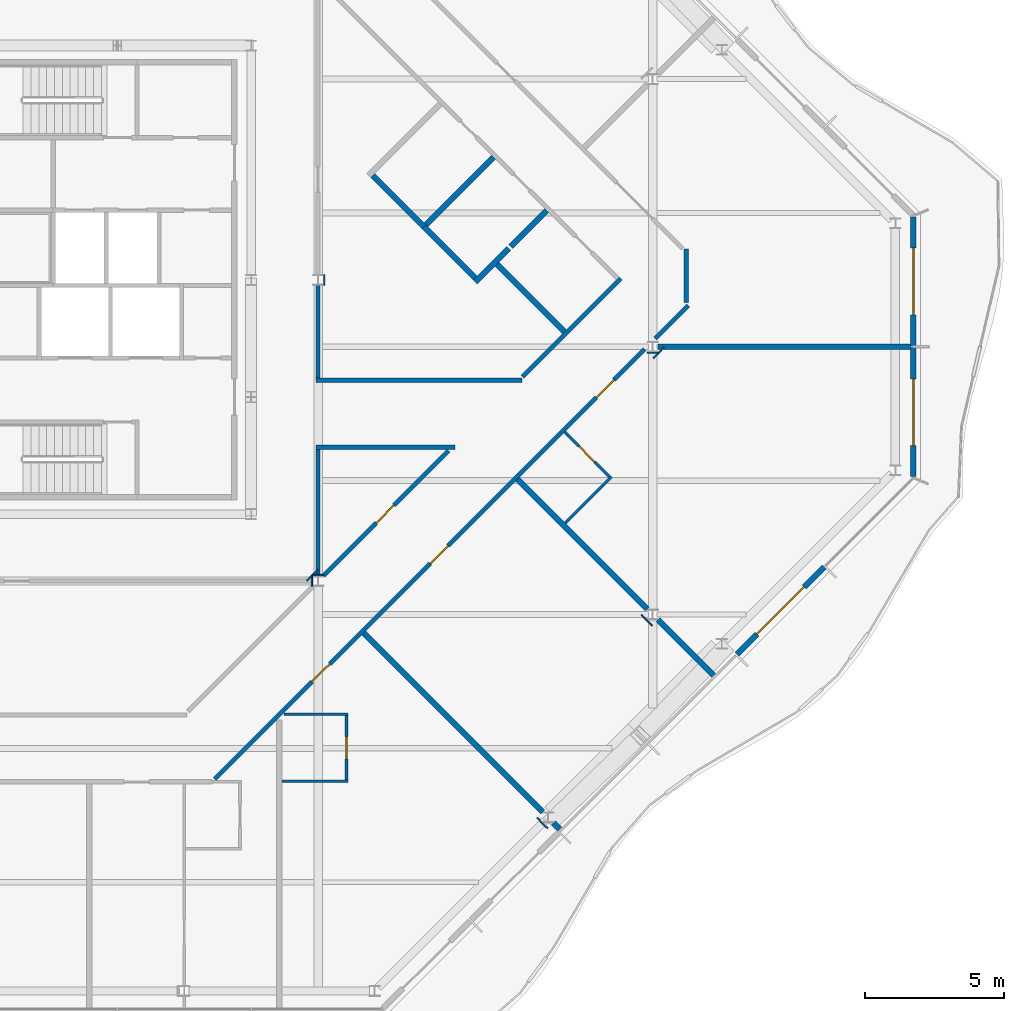
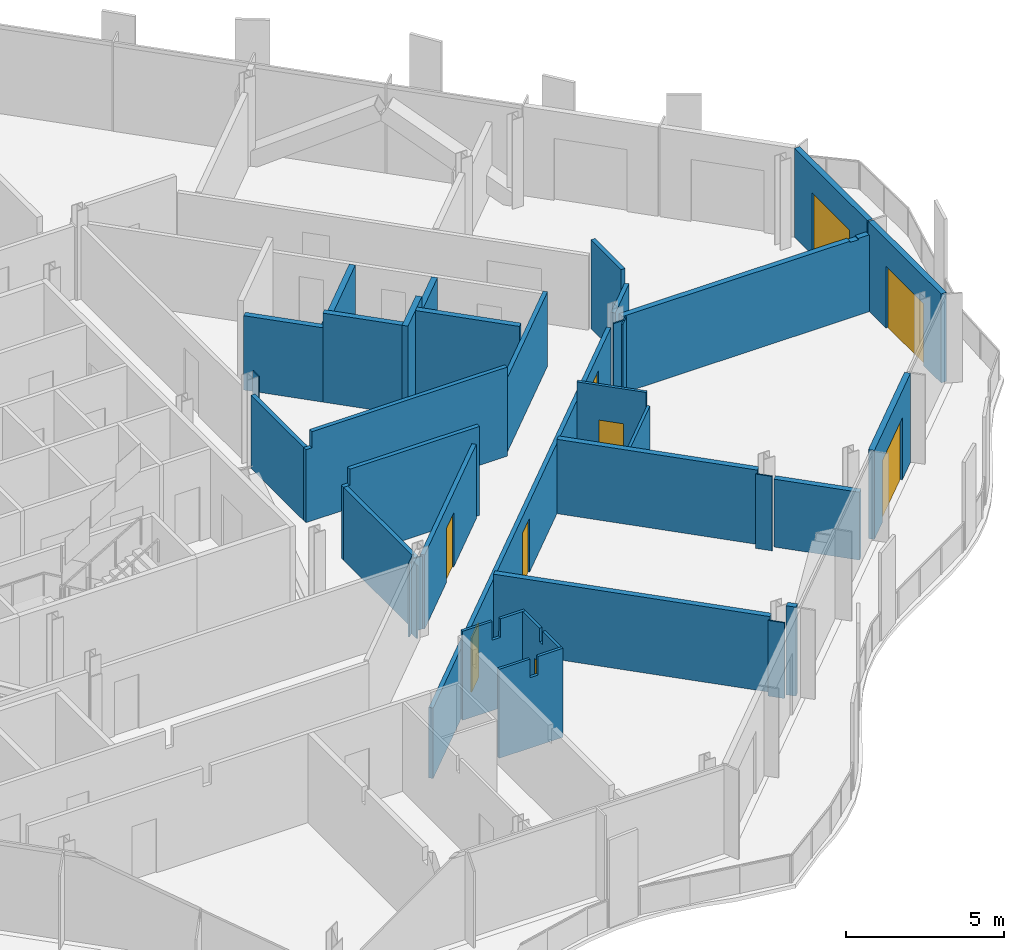
# One storey, part 9 of 16: 36 walls, 9 doors, 9 openings.
"""IFC4 building model written with IfcOpenShell, lengths in metres."""

from ifc_helpers import new_model, si_unit, direction, frame, frame_2d, origin, place, context, subcontext, project, spatial, polyline, rectangle, outline, extrude, material, layer, layer_set, type_object, element, fill, save


model = new_model("IFC4")

# Units and contexts
model_context = context("Model", 3, precision=1e-05, world=origin(), true_north=direction((0.0, 1.0)))
body_context = subcontext(model_context, "Body", "Model", "MODEL_VIEW")
ifc_project = project(units=[si_unit("LENGTHUNIT", "METRE"), si_unit("AREAUNIT", "SQUARE_METRE"), si_unit("VOLUMEUNIT", "CUBIC_METRE"), si_unit("PLANEANGLEUNIT", "RADIAN"), si_unit("MASSUNIT", "GRAM", prefix="KILO")], contexts=[model_context])

# Site, building, storey
site_placement = place(None, origin())
site = spatial("IfcSite", under=ifc_project, at=site_placement, CompositionType="ELEMENT")
building_placement = place(site_placement, origin())
building = spatial("IfcBuilding", under=site, at=building_placement, Name="Cairn Pilgrim Tower", CompositionType="ELEMENT")
storey_placement = place(building_placement, frame((0.0, 0.0, 285.0)))
storey = spatial("IfcBuildingStorey", under=building, at=storey_placement, Name="L73", CompositionType="ELEMENT", Elevation=285.0)

# Wall, opening, door
ifc_material_1 = material(Name="Bronze anodised aluminium insulated sandwich panel with mineral wool fill", Category="aluminium")
ifc_layer_1 = layer(ifc_material_1, 0.199951171875)
ifc_layer_set_1 = layer_set([ifc_layer_1], Name="BRONZE INFILL FRAME WALL 200")
wall_type_1 = type_object("IfcWallType", Name="BRONZE INFILL FRAME WALL 200", PredefinedType="NOTDEFINED", material=ifc_layer_set_1)
wall_1_placement = place(storey_placement, frame((34.219970703125, -11.0263671875, 0.0), z_axis=(0.0, 0.0, 1.0), x_axis=(0.707134329907, 0.707079231393, 0.0)))
wall_1 = element("IfcWall", 1, at=wall_1_placement, inside=storey, type_object=wall_type_1, Name="Bronze infill frame wall IW-SE5", PredefinedType="NOTDEFINED", context=body_context, shape_type="SweptSolid", body=[
    extrude(rectangle(XDim=4.430908203125, YDim=0.199951171875, at=frame_2d((2.21533203125, 0.0))), origin(), (0.0, 0.0, 1.0), 3.449951171875),
])
opening_1_placement = place(wall_1_placement, frame((1.01513671875, 0.0, 0.0)))
opening_1 = element("IfcOpeningElement", 2, at=opening_1_placement, cuts=wall_1, Name="Opening 7304B", PredefinedType="OPENING", context=body_context, shape_type="SweptSolid", body=[
    extrude(rectangle(XDim=2.39990234375, YDim=2.39990234375, at=frame_2d((1.199951171875, 1.199951171875))), frame((0.0, 0.10986328125, 0.0), z_axis=(0.0, -1.0, 0.0), x_axis=(1.0, 0.0, 0.0)), (0.0, 0.0, 1.0), 0.219970703125),
])
ifc_material_2 = material(Name="Bronze anodised aluminium frame with tinted low-E glass", Category="aluminium")
door_type_1 = type_object("IfcDoorType", Name="BALCONY SLIDING DOOR 2400x2400", OperationType="DOUBLE_DOOR_SLIDING", PredefinedType="DOOR", material=ifc_material_2)
door_1_placement = place(opening_1_placement, origin())
door_1 = element("IfcDoor", 3, at=door_1_placement, inside=storey, type_object=door_type_1, Name="Balcony sliding door 7304B", OperationType="SINGLE_SWING_LEFT", OverallHeight=2.39990234375, OverallWidth=2.39990234375, PredefinedType="DOOR", context=body_context, shape_type="SweptSolid", body=[
    extrude(rectangle(XDim=2.39990234375, YDim=2.39990234375, at=frame_2d((1.199951171875, 1.199951171875))), frame((0.0, 0.02490234375, 0.0), z_axis=(0.0, -1.0, 0.0), x_axis=(1.0, 0.0, 0.0)), (0.0, 0.0, 1.0), 0.050048828125),
])
fill(opening_1, door_1)

wall_2_placement = place(storey_placement, frame((40.550048828125, -4.656494140625, 0.0), z_axis=(0.0, 0.0, 1.0), x_axis=(0.0, 1.0, 0.0)))
wall_2 = element("IfcWall", 4, at=wall_2_placement, inside=storey, type_object=wall_type_1, Name="Bronze infill frame wall IW-E1", PredefinedType="NOTDEFINED", context=body_context, shape_type="SweptSolid", body=[
    extrude(rectangle(XDim=4.62646484375, YDim=0.199951171875, at=frame_2d((2.313232421875, 0.0))), origin(), (0.0, 0.0, 1.0), 3.449951171875),
])
opening_2_placement = place(wall_2_placement, frame((1.1083984375, 0.0, 0.0)))
opening_2 = element("IfcOpeningElement", 5, at=opening_2_placement, cuts=wall_2, Name="Opening 7304B2", PredefinedType="OPENING", context=body_context, shape_type="SweptSolid", body=[
    extrude(rectangle(XDim=2.39990234375, YDim=2.39990234375, at=frame_2d((1.199951171875, 1.199951171875))), frame((0.0, 0.10986328125, 0.0), z_axis=(0.0, -1.0, 0.0), x_axis=(1.0, 0.0, 0.0)), (0.0, 0.0, 1.0), 0.219970703125),
])
door_2_placement = place(opening_2_placement, origin())
door_2 = element("IfcDoor", 6, at=door_2_placement, inside=storey, type_object=door_type_1, Name="Balcony sliding door 7304B2", OperationType="SINGLE_SWING_LEFT", OverallHeight=2.39990234375, OverallWidth=2.39990234375, PredefinedType="DOOR", context=body_context, shape_type="SweptSolid", body=[
    extrude(rectangle(XDim=2.39990234375, YDim=2.39990234375, at=frame_2d((1.199951171875, 1.199951171875))), frame((0.0, 0.02490234375, 0.0), z_axis=(0.0, -1.0, 0.0), x_axis=(1.0, 0.0, 0.0)), (0.0, 0.0, 1.0), 0.050048828125),
])
fill(opening_2, door_2)

wall_3_placement = place(storey_placement, frame((40.550048828125, 0.030029296875, 0.0), z_axis=(0.0, 0.0, 1.0), x_axis=(0.0, 1.0, 0.0)))
wall_3 = element("IfcWall", 7, at=wall_3_placement, inside=storey, type_object=wall_type_1, Name="Bronze infill frame wall IW-E2", PredefinedType="NOTDEFINED", context=body_context, shape_type="SweptSolid", body=[
    extrude(rectangle(XDim=4.62646484375, YDim=0.199951171875, at=frame_2d((2.313232421875, 0.0))), origin(), (0.0, 0.0, 1.0), 3.449951171875),
])
opening_3_placement = place(wall_3_placement, frame((1.117919921875, 0.0, 0.0)))
opening_3 = element("IfcOpeningElement", 8, at=opening_3_placement, cuts=wall_3, Name="Opening 7301B2", PredefinedType="OPENING", context=body_context, shape_type="SweptSolid", body=[
    extrude(rectangle(XDim=2.39990234375, YDim=2.39990234375, at=frame_2d((1.199951171875, 1.199951171875))), frame((0.0, 0.10986328125, 0.0), z_axis=(0.0, -1.0, 0.0), x_axis=(1.0, 0.0, 0.0)), (0.0, 0.0, 1.0), 0.219970703125),
])
door_3_placement = place(opening_3_placement, origin())
door_3 = element("IfcDoor", 9, at=door_3_placement, inside=storey, type_object=door_type_1, Name="Balcony sliding door 7301B2", OperationType="SINGLE_SWING_LEFT", OverallHeight=2.39990234375, OverallWidth=2.39990234375, PredefinedType="DOOR", context=body_context, shape_type="SweptSolid", body=[
    extrude(rectangle(XDim=2.39990234375, YDim=2.39990234375, at=frame_2d((1.199951171875, 1.199951171875))), frame((0.0, 0.02490234375, 0.0), z_axis=(0.0, -1.0, 0.0), x_axis=(1.0, 0.0, 0.0)), (0.0, 0.0, 1.0), 0.050048828125),
])
fill(opening_3, door_3)

# Wall
ifc_material_3 = material(Name="Gypsum partition")
ifc_layer_2 = layer(ifc_material_3, 0.10009765625)
ifc_layer_set_2 = layer_set([ifc_layer_2], Name="PARTITION 100 DRYWALL")
wall_type_2 = type_object("IfcWallType", Name="PARTITION 100 DRYWALL", PredefinedType="PARTITIONING", material=ifc_layer_set_2)
wall_4_placement = place(storey_placement, frame((17.9140625, -15.580078125, 0.0), z_axis=(0.0, 0.0, 1.0), x_axis=(1.0, 0.0, 0.0)))
element("IfcWall", 10, at=wall_4_placement, inside=storey, type_object=wall_type_2, Name="PARTITION W011", PredefinedType="PARTITIONING", context=body_context, shape_type="SweptSolid", body=[
    extrude(outline(polyline([(0.0, 0.0), (2.349853515625, 0.0), (2.35009765625, 3.449951171875), (1.43603515625, 3.449951171875), (1.43408203125, 2.72998046875), (1.135986328125, 2.72998046875), (1.134033203125, 3.449951171875), (0.0, 3.449951171875), (0.0, 0.0)])), frame((0.0, 0.050048828125, 0.0), z_axis=(0.0, -1.0, 0.0), x_axis=(1.0, 0.0, 0.0)), (0.0, 0.0, 1.0), 0.10009765625),
])

# Wall, opening, door
wall_5_placement = place(storey_placement, frame((20.214111328125, -15.530029296875, 0.0), z_axis=(0.0, 0.0, 1.0), x_axis=(0.0, 1.0, 0.0)))
wall_5 = element("IfcWall", 11, at=wall_5_placement, inside=storey, type_object=wall_type_2, Name="PARTITION W013", PredefinedType="PARTITIONING", context=body_context, shape_type="SweptSolid", body=[
    extrude(outline(polyline([(0.0, 0.0), (2.300048828125, 0.0), (2.300048828125, 3.449951171875), (1.22998046875, 3.449951171875), (1.22802734375, 2.929931640625), (1.030029296875, 2.929931640625), (1.028076171875, 3.449951171875), (0.0, 3.449951171875), (0.0, 0.0)])), frame((0.0, 0.050048828125, 0.0), z_axis=(0.0, -1.0, 0.0), x_axis=(1.0, 0.0, 0.0)), (0.0, 0.0, 1.0), 0.10009765625),
])
opening_4_placement = place(wall_5_placement, frame((0.75, 0.0, 0.0)))
opening_4 = element("IfcOpeningElement", 12, at=opening_4_placement, cuts=wall_5, Name="Opening 7302A", PredefinedType="OPENING", context=body_context, shape_type="SweptSolid", body=[
    extrude(rectangle(XDim=0.800048828125, YDim=2.10009765625, at=frame_2d((0.39990234375, 1.050048828125))), frame((0.0, 0.06005859375, 0.0), z_axis=(0.0, -1.0, 0.0), x_axis=(1.0, 0.0, 0.0)), (0.0, 0.0, 1.0), 0.1201171875),
])
ifc_material_4 = material(Name="Timber door leaf", Category="wood")
door_type_2 = type_object("IfcDoorType", Name="WC DOOR 800x2100", OperationType="NOTDEFINED", PredefinedType="DOOR", material=ifc_material_4)
door_4_placement = place(opening_4_placement, frame((0.800048828125, 0.0, 0.0), z_axis=(0.0, 0.0, 1.0), x_axis=(-1.0, 0.0, 0.0)))
door_4 = element("IfcDoor", 13, at=door_4_placement, inside=storey, type_object=door_type_2, Name="DOOR 7302A", OperationType="SINGLE_SWING_LEFT", OverallHeight=2.10009765625, OverallWidth=0.800048828125, PredefinedType="DOOR", context=body_context, shape_type="SweptSolid", body=[
    extrude(rectangle(XDim=0.800048828125, YDim=2.10009765625, at=frame_2d((0.39990234375, 1.050048828125))), frame((0.0, 0.02490234375, 0.0), z_axis=(0.0, -1.0, 0.0), x_axis=(1.0, 0.0, 0.0)), (0.0, 0.0, 1.0), 0.050048828125),
])
fill(opening_4, door_4)

# Walls
wall_6_placement = place(storey_placement, frame((17.97021484375, -13.179931640625, 0.0), z_axis=(0.0, 0.0, 1.0), x_axis=(1.0, 0.0, 0.0)))
element("IfcWall", 14, at=wall_6_placement, inside=storey, type_object=wall_type_2, Name="PARTITION W016", PredefinedType="PARTITIONING", context=body_context, shape_type="SweptSolid", body=[
    extrude(outline(polyline([(0.0, 0.0), (2.293701171875, 0.0), (2.2939453125, 3.449951171875), (1.3798828125, 3.449951171875), (1.3779296875, 2.72998046875), (1.079833984375, 2.72998046875), (1.077880859375, 3.449951171875), (0.0, 3.449951171875), (0.0, 0.0)])), frame((0.0, 0.050048828125, 0.0), z_axis=(0.0, -1.0, 0.0), x_axis=(1.0, 0.0, 0.0)), (0.0, 0.0, 1.0), 0.10009765625),
])
wall_7_placement = place(storey_placement, frame((28.064697265625, -6.3232421875, 0.0), z_axis=(0.0, 0.0, 1.0), x_axis=(0.707106781187, 0.707106781187, 0.0)))
element("IfcWall", 15, at=wall_7_placement, inside=storey, type_object=wall_type_2, Name="PARTITION W032", PredefinedType="PARTITIONING", context=body_context, shape_type="SweptSolid", body=[
    extrude(rectangle(XDim=2.349853515625, YDim=0.10009765625, at=frame_2d((1.1748046875, 0.0))), origin(), (0.0, 0.0, 1.0), 2.8798828125),
])

# Wall, opening, door
wall_8_placement = place(storey_placement, frame((29.655517578125, -4.66162109375, 0.0), z_axis=(0.0, 0.0, 1.0), x_axis=(-0.707053116953, 0.707160441348, 0.0)))
wall_8 = element("IfcWall", 16, at=wall_8_placement, inside=storey, type_object=wall_type_2, Name="PARTITION W033", PredefinedType="PARTITIONING", context=body_context, shape_type="SweptSolid", body=[
    extrude(rectangle(XDim=2.27490234375, YDim=0.10009765625, at=frame_2d((1.137451171875, 0.0))), origin(), (0.0, 0.0, 1.0), 3.449951171875),
])
opening_5_placement = place(wall_8_placement, frame((0.75, 0.0, 0.0)))
opening_5 = element("IfcOpeningElement", 17, at=opening_5_placement, cuts=wall_8, Name="Opening 7304A", PredefinedType="OPENING", context=body_context, shape_type="SweptSolid", body=[
    extrude(rectangle(XDim=0.800048828125, YDim=2.10009765625, at=frame_2d((0.39990234375, 1.050048828125))), frame((0.0, 0.06005859375, 0.0), z_axis=(0.0, -1.0, 0.0), x_axis=(1.0, 0.0, 0.0)), (0.0, 0.0, 1.0), 0.1201171875),
])
door_5_placement = place(opening_5_placement, frame((0.800048828125, 0.0, 0.0), z_axis=(0.0, 0.0, 1.0), x_axis=(-1.0, 0.0, 0.0)))
door_5 = element("IfcDoor", 18, at=door_5_placement, inside=storey, type_object=door_type_2, Name="DOOR 7304A", OperationType="SINGLE_SWING_LEFT", OverallHeight=2.10009765625, OverallWidth=0.800048828125, PredefinedType="DOOR", context=body_context, shape_type="SweptSolid", body=[
    extrude(rectangle(XDim=0.800048828125, YDim=2.10009765625, at=frame_2d((0.39990234375, 1.050048828125))), frame((0.0, 0.02490234375, 0.0), z_axis=(0.0, -1.0, 0.0), x_axis=(1.0, 0.0, 0.0)), (0.0, 0.0, 1.0), 0.050048828125),
])
fill(opening_5, door_5)

# Wall, openings, doors
ifc_layer_3 = layer(ifc_material_3, 0.14990234375)
ifc_layer_set_3 = layer_set([ifc_layer_3], Name="PARTITION 150 DRYWALL EI 60")
wall_type_3 = type_object("IfcWallType", Name="PARTITION 150 DRYWALL EI 60", PredefinedType="PARTITIONING", material=ifc_layer_set_3)
wall_9_placement = place(storey_placement, frame((15.4970703125, -15.4970703125, 0.0), z_axis=(0.0, 0.0, 1.0), x_axis=(0.707106781187, 0.707106781187, 0.0)))
wall_9 = element("IfcWall", 19, at=wall_9_placement, inside=storey, type_object=wall_type_3, Name="PARTITION W012", PredefinedType="PARTITIONING", context=body_context, shape_type="SweptSolid", body=[
    extrude(rectangle(XDim=21.789794921875, YDim=0.14990234375, at=frame_2d((10.89501953125, 0.0))), origin(), (0.0, 0.0, 1.0), 2.72998046875),
])
opening_6_placement = place(wall_9_placement, frame((4.92724609375, 0.0, 0.0)))
opening_6 = element("IfcOpeningElement", 20, at=opening_6_placement, cuts=wall_9, Name="Opening 7302", PredefinedType="OPENING", context=body_context, shape_type="SweptSolid", body=[
    extrude(rectangle(XDim=0.89990234375, YDim=2.10009765625, at=frame_2d((0.449951171875, 1.050048828125))), frame((0.0, 0.0849609375, 0.0), z_axis=(0.0, -1.0, 0.0), x_axis=(1.0, 0.0, 0.0)), (0.0, 0.0, 1.0), 0.169921875),
])
opening_7_placement = place(wall_9_placement, frame((10.925537109375, 0.0, 0.0)))
opening_7 = element("IfcOpeningElement", 21, at=opening_7_placement, cuts=wall_9, Name="Opening 7303", PredefinedType="OPENING", context=body_context, shape_type="SweptSolid", body=[
    extrude(rectangle(XDim=0.89990234375, YDim=2.10009765625, at=frame_2d((0.449951171875, 1.050048828125))), frame((0.0, 0.0849609375, 0.0), z_axis=(0.0, -1.0, 0.0), x_axis=(1.0, 0.0, 0.0)), (0.0, 0.0, 1.0), 0.169921875),
])
opening_8_placement = place(wall_9_placement, frame((19.344970703125, 0.0, 0.0)))
opening_8 = element("IfcOpeningElement", 22, at=opening_8_placement, cuts=wall_9, Name="Opening 7304", PredefinedType="OPENING", context=body_context, shape_type="SweptSolid", body=[
    extrude(rectangle(XDim=0.89990234375, YDim=2.10009765625, at=frame_2d((0.449951171875, 1.050048828125))), frame((0.0, 0.0849609375, 0.0), z_axis=(0.0, -1.0, 0.0), x_axis=(1.0, 0.0, 0.0)), (0.0, 0.0, 1.0), 0.169921875),
])
door_type_3 = type_object("IfcDoorType", Name="ROOM DOOR 900x2100 FD30S", OperationType="NOTDEFINED", PredefinedType="DOOR", material=ifc_material_4)
door_6_placement = place(opening_6_placement, frame((0.89990234375, 0.0, 0.0), z_axis=(0.0, 0.0, 1.0), x_axis=(-1.0, 0.0, 0.0)))
door_6 = element("IfcDoor", 23, at=door_6_placement, inside=storey, type_object=door_type_3, Name="DOOR 7302", OperationType="SINGLE_SWING_LEFT", OverallHeight=2.10009765625, OverallWidth=0.89990234375, PredefinedType="DOOR", context=body_context, shape_type="SweptSolid", body=[
    extrude(rectangle(XDim=0.89990234375, YDim=2.10009765625, at=frame_2d((0.449951171875, 1.050048828125))), frame((0.0, 0.02490234375, 0.0), z_axis=(0.0, -1.0, 0.0), x_axis=(1.0, 0.0, 0.0)), (0.0, 0.0, 1.0), 0.050048828125),
])
fill(opening_6, door_6)
door_7_placement = place(opening_8_placement, frame((0.89990234375, 0.0, 0.0), z_axis=(0.0, 0.0, 1.0), x_axis=(-1.0, 0.0, 0.0)))
door_7 = element("IfcDoor", 24, at=door_7_placement, inside=storey, type_object=door_type_3, Name="DOOR 7304", OperationType="SINGLE_SWING_LEFT", OverallHeight=2.10009765625, OverallWidth=0.89990234375, PredefinedType="DOOR", context=body_context, shape_type="SweptSolid", body=[
    extrude(rectangle(XDim=0.89990234375, YDim=2.10009765625, at=frame_2d((0.449951171875, 1.050048828125))), frame((0.0, 0.02490234375, 0.0), z_axis=(0.0, -1.0, 0.0), x_axis=(1.0, 0.0, 0.0)), (0.0, 0.0, 1.0), 0.050048828125),
])
fill(opening_8, door_7)
door_type_4 = type_object("IfcDoorType", Name="SERVICE DOOR 900x2100 FD30S", OperationType="NOTDEFINED", PredefinedType="DOOR", material=ifc_material_4)
door_8_placement = place(opening_7_placement, frame((0.89990234375, 0.0, 0.0), z_axis=(0.0, 0.0, 1.0), x_axis=(-1.0, 0.0, 0.0)))
door_8 = element("IfcDoor", 25, at=door_8_placement, inside=storey, type_object=door_type_4, Name="DOOR 7303", OperationType="SINGLE_SWING_LEFT", OverallHeight=2.10009765625, OverallWidth=0.89990234375, PredefinedType="DOOR", context=body_context, shape_type="SweptSolid", body=[
    extrude(rectangle(XDim=0.89990234375, YDim=2.10009765625, at=frame_2d((0.449951171875, 1.050048828125))), frame((0.0, 0.02490234375, 0.0), z_axis=(0.0, -1.0, 0.0), x_axis=(1.0, 0.0, 0.0)), (0.0, 0.0, 1.0), 0.050048828125),
])
fill(opening_7, door_8)

# Wall
wall_10_placement = place(storey_placement, frame((19.199951171875, -8.21240234375, 0.0), z_axis=(0.0, 0.0, 1.0), x_axis=(0.0, 1.0, 0.0)))
element("IfcWall", 26, at=wall_10_placement, inside=storey, type_object=wall_type_3, Name="PARTITION W030", PredefinedType="PARTITIONING", context=body_context, shape_type="SweptSolid", body=[
    extrude(rectangle(XDim=4.537353515625, YDim=0.14990234375, at=frame_2d((2.2685546875, 0.0))), origin(), (0.0, 0.0, 1.0), 2.830078125),
])

# Wall, opening, door
wall_11_placement = place(storey_placement, frame((19.39208984375, -8.207763671875, 0.0), z_axis=(0.0, 0.0, 1.0), x_axis=(0.707126048664, 0.707087513184, 0.0)))
wall_11 = element("IfcWall", 27, at=wall_11_placement, inside=storey, type_object=wall_type_3, Name="PARTITION W031", PredefinedType="PARTITIONING", context=body_context, shape_type="SweptSolid", body=[
    extrude(rectangle(XDim=6.33544921875, YDim=0.14990234375, at=frame_2d((3.167724609375, 0.0))), origin(), (0.0, 0.0, 1.0), 2.8798828125),
])
opening_9_placement = place(wall_11_placement, frame((2.672119140625, 0.0, 0.0)))
opening_9 = element("IfcOpeningElement", 28, at=opening_9_placement, cuts=wall_11, Name="Opening 7315", PredefinedType="OPENING", context=body_context, shape_type="SweptSolid", body=[
    extrude(rectangle(XDim=0.89990234375, YDim=2.10009765625, at=frame_2d((0.449951171875, 1.050048828125))), frame((0.0, 0.0849609375, 0.0), z_axis=(0.0, -1.0, 0.0), x_axis=(1.0, 0.0, 0.0)), (0.0, 0.0, 1.0), 0.169921875),
])
door_9_placement = place(opening_9_placement, origin())
door_9 = element("IfcDoor", 29, at=door_9_placement, inside=storey, type_object=door_type_4, Name="DOOR 7315", OperationType="SINGLE_SWING_RIGHT", OverallHeight=2.10009765625, OverallWidth=0.89990234375, PredefinedType="DOOR", context=body_context, shape_type="SweptSolid", body=[
    extrude(rectangle(XDim=0.89990234375, YDim=2.10009765625, at=frame_2d((0.449951171875, 1.050048828125))), frame((0.0, 0.02490234375, 0.0), z_axis=(0.0, -1.0, 0.0), x_axis=(1.0, 0.0, 0.0)), (0.0, 0.0, 1.0), 0.050048828125),
])
fill(opening_9, door_9)

# Walls
wall_12_placement = place(storey_placement, frame((19.125, -3.60009765625, 0.0), z_axis=(0.0, 0.0, 1.0), x_axis=(1.0, 0.0, 0.0)))
element("IfcWall", 30, at=wall_12_placement, inside=storey, type_object=wall_type_3, Name="PARTITION W034", PredefinedType="PARTITIONING", context=body_context, shape_type="SweptSolid", body=[
    extrude(outline(polyline([(0.0, 0.0), (4.981201171875, 0.0), (4.981201171875, 3.449951171875), (0.22509765625, 3.449951171875), (0.222900390625, 2.830078125), (0.0, 2.830078125), (0.0, 0.0)])), frame((0.0, 0.074951171875, 0.0), z_axis=(0.0, -1.0, 0.0), x_axis=(1.0, 0.0, 0.0)), (0.0, 0.0, 1.0), 0.14990234375),
])
wall_13_placement = place(storey_placement, frame((19.125, -1.199951171875, 0.0), z_axis=(0.0, 0.0, 1.0), x_axis=(1.0, 0.0, 0.0)))
element("IfcWall", 31, at=wall_13_placement, inside=storey, type_object=wall_type_3, Name="PARTITION W035", PredefinedType="PARTITIONING", context=body_context, shape_type="SweptSolid", body=[
    extrude(outline(polyline([(0.0, 0.0), (7.381103515625, 0.0), (7.381103515625, 3.449951171875), (0.22509765625, 3.449951171875), (0.222900390625, 2.830078125), (0.0, 2.830078125), (0.0, 0.0)])), frame((0.0, 0.074951171875, 0.0), z_axis=(0.0, -1.0, 0.0), x_axis=(1.0, 0.0, 0.0)), (0.0, 0.0, 1.0), 0.14990234375),
])
wall_14_placement = place(storey_placement, frame((19.199951171875, -1.125, 0.0), z_axis=(0.0, 0.0, 1.0), x_axis=(0.0, 1.0, 0.0)))
element("IfcWall", 32, at=wall_14_placement, inside=storey, type_object=wall_type_3, Name="PARTITION W036", PredefinedType="PARTITIONING", context=body_context, shape_type="SweptSolid", body=[
    extrude(rectangle(XDim=3.33740234375, YDim=0.14990234375, at=frame_2d((1.668701171875, 0.0))), origin(), (0.0, 0.0, 1.0), 2.830078125),
])
wall_15_placement = place(storey_placement, frame((26.528076171875, -1.072021484375, 0.0), z_axis=(0.0, 0.0, 1.0), x_axis=(0.707106781187, 0.707106781187, 0.0)))
element("IfcWall", 33, at=wall_15_placement, inside=storey, type_object=wall_type_3, Name="PARTITION W037", PredefinedType="PARTITIONING", context=body_context, shape_type="SweptSolid", body=[
    extrude(rectangle(XDim=4.98486328125, YDim=0.14990234375, at=frame_2d((2.492431640625, 0.0))), origin(), (0.0, 0.0, 1.0), 2.8798828125),
])
wall_16_placement = place(storey_placement, frame((31.289306640625, 0.29541015625, 0.0), z_axis=(0.0, 0.0, 1.0), x_axis=(0.707179577478, 0.7070339774, 0.0)))
element("IfcWall", 34, at=wall_16_placement, inside=storey, type_object=wall_type_3, Name="PARTITION W039", PredefinedType="PARTITIONING", context=body_context, shape_type="SweptSolid", body=[
    extrude(rectangle(XDim=1.6767578125, YDim=0.14990234375, at=frame_2d((0.83837890625, 0.0))), origin(), (0.0, 0.0, 1.0), 2.929931640625),
])
wall_17_placement = place(storey_placement, frame((32.39990234375, 1.587158203125, 0.0), z_axis=(0.0, 0.0, 1.0), x_axis=(0.0, 1.0, 0.0)))
element("IfcWall", 35, at=wall_17_placement, inside=storey, type_object=wall_type_3, Name="PARTITION W041", PredefinedType="PARTITIONING", context=body_context, shape_type="SweptSolid", body=[
    extrude(rectangle(XDim=1.912841796875, YDim=0.14990234375, at=frame_2d((0.95654296875, 0.0))), origin(), (0.0, 0.0, 1.0), 3.449951171875),
])
ifc_layer_4 = layer(ifc_material_3, 0.050048828125)
ifc_layer_set_4 = layer_set([ifc_layer_4], Name="PARTITION 50 DRYWALL EI 60")
wall_type_4 = type_object("IfcWallType", Name="PARTITION 50 DRYWALL EI 60", PredefinedType="PARTITIONING", material=ifc_layer_set_4)
wall_18_placement = place(storey_placement, frame((27.433837890625, -17.27294921875, 0.0), z_axis=(0.0, 0.0, 1.0), x_axis=(-0.707106781187, 0.707106781187, 0.0)))
element("IfcWall", 36, at=wall_18_placement, inside=storey, type_object=wall_type_4, Name="COLUMN CASING WC02", PredefinedType="PARTITIONING", context=body_context, shape_type="SweptSolid", body=[
    extrude(rectangle(XDim=0.536865234375, YDim=0.050048828125, at=frame_2d((0.2685546875, 0.0))), origin(), (0.0, 0.0, 1.0), 2.929931640625),
])
wall_19_placement = place(storey_placement, frame((31.2177734375, -0.402099609375, 0.0), z_axis=(0.0, 0.0, 1.0), x_axis=(0.707106781187, 0.707106781187, 0.0)))
element("IfcWall", 37, at=wall_19_placement, inside=storey, type_object=wall_type_4, Name="COLUMN CASING WC03", PredefinedType="PARTITIONING", context=body_context, shape_type="SweptSolid", body=[
    extrude(rectangle(XDim=0.543701171875, YDim=0.050048828125, at=frame_2d((0.27197265625, 0.0))), origin(), (0.0, 0.0, 1.0), 2.929931640625),
])
wall_20_placement = place(storey_placement, frame((18.7978515625, -8.38232421875, 0.0), z_axis=(0.0, 0.0, 1.0), x_axis=(0.707106781187, 0.707106781187, 0.0)))
element("IfcWall", 38, at=wall_20_placement, inside=storey, type_object=wall_type_4, Name="COLUMN CASING WC04", PredefinedType="PARTITIONING", context=body_context, shape_type="SweptSolid", body=[
    extrude(rectangle(XDim=0.543701171875, YDim=0.050048828125, at=frame_2d((0.27197265625, 0.0))), origin(), (0.0, 0.0, 1.0), 2.830078125),
])
wall_21_placement = place(storey_placement, frame((31.182373046875, -10.002197265625, 0.0), z_axis=(0.0, 0.0, 1.0), x_axis=(-0.707106781187, 0.707106781187, 0.0)))
element("IfcWall", 39, at=wall_21_placement, inside=storey, type_object=wall_type_4, Name="COLUMN CASING WC05", PredefinedType="PARTITIONING", context=body_context, shape_type="SweptSolid", body=[
    extrude(rectangle(XDim=0.543701171875, YDim=0.050048828125, at=frame_2d((0.27197265625, 0.0))), origin(), (0.0, 0.0, 1.0), 2.8798828125),
])
wall_22_placement = place(storey_placement, frame((19.0029296875, -8.1875, 0.0), z_axis=(0.0, 0.0, 1.0), x_axis=(1.0, 0.0, 0.0)))
element("IfcWall", 40, at=wall_22_placement, inside=storey, type_object=wall_type_4, Name="COLUMN CASING WC11", PredefinedType="PARTITIONING", context=body_context, shape_type="SweptSolid", body=[
    extrude(rectangle(XDim=0.39404296875, YDim=0.050048828125, at=frame_2d((0.197021484375, 0.0))), origin(), (0.0, 0.0, 1.0), 2.830078125),
])
wall_23_placement = place(storey_placement, frame((18.97802734375, -8.58740234375, 0.0), z_axis=(0.0, 0.0, 1.0), x_axis=(0.0, 1.0, 0.0)))
element("IfcWall", 41, at=wall_23_placement, inside=storey, type_object=wall_type_4, Name="COLUMN CASING WC12", PredefinedType="PARTITIONING", context=body_context, shape_type="SweptSolid", body=[
    extrude(rectangle(XDim=0.375, YDim=0.050048828125, at=frame_2d((0.1875, 0.0))), origin(), (0.0, 0.0, 1.0), 2.830078125),
])
wall_24_placement = place(storey_placement, frame((19.422119140625, 2.21240234375, 0.0), z_axis=(0.0, 0.0, 1.0), x_axis=(0.0, 1.0, 0.0)))
element("IfcWall", 42, at=wall_24_placement, inside=storey, type_object=wall_type_4, Name="COLUMN CASING WC13", PredefinedType="PARTITIONING", context=body_context, shape_type="SweptSolid", body=[
    extrude(rectangle(XDim=0.375, YDim=0.050048828125, at=frame_2d((0.1875, 0.0))), origin(), (0.0, 0.0, 1.0), 3.449951171875),
])
wall_25_placement = place(storey_placement, frame((31.0029296875, -0.21240234375, 0.0), z_axis=(0.0, 0.0, 1.0), x_axis=(1.0, 0.0, 0.0)))
element("IfcWall", 43, at=wall_25_placement, inside=storey, type_object=wall_type_4, Name="COLUMN CASING WC15", PredefinedType="PARTITIONING", context=body_context, shape_type="SweptSolid", body=[
    extrude(rectangle(XDim=0.39404296875, YDim=0.050048828125, at=frame_2d((0.197021484375, 0.0))), origin(), (0.0, 0.0, 1.0), 2.929931640625),
])
ifc_layer_5 = layer(ifc_material_3, 0.199951171875)
ifc_layer_set_5 = layer_set([ifc_layer_5], Name="SHAFT WALL 200 GYPSUM EI 60")
wall_type_5 = type_object("IfcWallType", Name="SHAFT WALL 200 GYPSUM EI 60", PredefinedType="PARTITIONING", material=ifc_layer_set_5)
wall_26_placement = place(storey_placement, frame((27.868896484375, -17.292724609375, 0.0), z_axis=(0.0, 0.0, 1.0), x_axis=(-0.707106781187, 0.707106781187, 0.0)))
element("IfcWall", 44, at=wall_26_placement, inside=storey, type_object=wall_type_5, Name="PARTITION W007", PredefinedType="PARTITIONING", context=body_context, shape_type="SweptSolid", body=[
    extrude(rectangle(XDim=0.32177734375, YDim=0.199951171875, at=frame_2d((0.160888671875, 0.0))), origin(), (0.0, 0.0, 1.0), 3.449951171875),
])
wall_27_placement = place(storey_placement, frame((27.26171875, -16.685791015625, 0.0), z_axis=(0.0, 0.0, 1.0), x_axis=(-0.707106781187, 0.707106781187, 0.0)))
element("IfcWall", 45, at=wall_27_placement, inside=storey, type_object=wall_type_5, Name="PARTITION W008", PredefinedType="PARTITIONING", context=body_context, shape_type="SweptSolid", body=[
    extrude(rectangle(XDim=9.084716796875, YDim=0.199951171875, at=frame_2d((4.54248046875, 0.0))), origin(), (0.0, 0.0, 1.0), 2.929931640625),
])
wall_28_placement = place(storey_placement, frame((33.380859375, -11.78076171875, 0.0), z_axis=(0.0, 0.0, 1.0), x_axis=(-0.707106781187, 0.707106781187, 0.0)))
element("IfcWall", 46, at=wall_28_placement, inside=storey, type_object=wall_type_5, Name="PARTITION W021", PredefinedType="PARTITIONING", context=body_context, shape_type="SweptSolid", body=[
    extrude(rectangle(XDim=2.812255859375, YDim=0.199951171875, at=frame_2d((1.40625, 0.0))), origin(), (0.0, 0.0, 1.0), 2.6298828125),
])
wall_29_placement = place(storey_placement, frame((31.0078125, -9.40771484375, 0.0), z_axis=(0.0, 0.0, 1.0), x_axis=(-0.707106781187, 0.707106781187, 0.0)))
element("IfcWall", 47, at=wall_29_placement, inside=storey, type_object=wall_type_5, Name="PARTITION W026", PredefinedType="PARTITIONING", context=body_context, shape_type="SweptSolid", body=[
    extrude(rectangle(XDim=6.5869140625, YDim=0.199951171875, at=frame_2d((3.29345703125, 0.0))), origin(), (0.0, 0.0, 1.0), 2.8798828125),
])
wall_30_placement = place(storey_placement, frame((31.39697265625, 0.0, 0.0), z_axis=(0.0, 0.0, 1.0), x_axis=(1.0, 0.0, 0.0)))
element("IfcWall", 48, at=wall_30_placement, inside=storey, type_object=wall_type_5, Name="PARTITION W038", PredefinedType="PARTITIONING", context=body_context, shape_type="SweptSolid", body=[
    extrude(outline(polyline([(0.0, 0.0), (9.052978515625, 0.0), (9.052978515625, 2.97998046875), (8.653076171875, 2.97998046875), (8.65087890625, 2.929931640625), (8.35302734375, 2.929931640625), (8.35107421875, 2.97998046875), (0.0, 2.97998046875), (0.0, 0.0)])), frame((0.0, 0.10009765625, 0.0), z_axis=(0.0, -1.0, 0.0), x_axis=(1.0, 0.0, 0.0)), (0.0, 0.0, 1.0), 0.199951171875),
])
wall_31_placement = place(storey_placement, frame((28.037841796875, 0.5439453125, 0.0), z_axis=(0.0, 0.0, 1.0), x_axis=(-0.707213699878, 0.706999846325, 0.0)))
element("IfcWall", 49, at=wall_31_placement, inside=storey, type_object=wall_type_5, Name="PARTITION W040", PredefinedType="PARTITIONING", context=body_context, shape_type="SweptSolid", body=[
    extrude(rectangle(XDim=3.4248046875, YDim=0.199951171875, at=frame_2d((1.71240234375, 0.0))), origin(), (0.0, 0.0, 1.0), 3.449951171875),
])
wall_32_placement = place(storey_placement, frame((24.83837890625, 2.329345703125, 0.0), z_axis=(0.0, 0.0, 1.0), x_axis=(0.707034938994, 0.70717861608, 0.0)))
element("IfcWall", 50, at=wall_32_placement, inside=storey, type_object=wall_type_5, Name="PARTITION W042", PredefinedType="PARTITIONING", context=body_context, shape_type="SweptSolid", body=[
    extrude(rectangle(XDim=1.69921875, YDim=0.199951171875, at=frame_2d((0.849609375, 0.0))), origin(), (0.0, 0.0, 1.0), 3.449951171875),
])
wall_33_placement = place(storey_placement, frame((24.83837890625, 2.470703125, 0.0), z_axis=(0.0, 0.0, 1.0), x_axis=(-0.707106781187, 0.707106781187, 0.0)))
element("IfcWall", 51, at=wall_33_placement, inside=storey, type_object=wall_type_5, Name="PARTITION W043", PredefinedType="PARTITIONING", context=body_context, shape_type="SweptSolid", body=[
    extrude(rectangle(XDim=2.599853515625, YDim=0.199951171875, at=frame_2d((1.2998046875, 0.0))), origin(), (0.0, 0.0, 1.0), 3.449951171875),
])
wall_34_placement = place(storey_placement, frame((26.110595703125, 3.601806640625, 0.0), z_axis=(0.0, 0.0, 1.0), x_axis=(0.706906117117, 0.707307388328, 0.0)))
element("IfcWall", 52, at=wall_34_placement, inside=storey, type_object=wall_type_5, Name="PARTITION W048", PredefinedType="PARTITIONING", context=body_context, shape_type="SweptSolid", body=[
    extrude(rectangle(XDim=1.8251953125, YDim=0.199951171875, at=frame_2d((0.91259765625, 0.0))), origin(), (0.0, 0.0, 1.0), 2.8798828125),
])
wall_35_placement = place(storey_placement, frame((23.0, 4.30908203125, 0.0), z_axis=(0.0, 0.0, 1.0), x_axis=(-0.707294541873, 0.70691897063, 0.0)))
element("IfcWall", 53, at=wall_35_placement, inside=storey, type_object=wall_type_5, Name="PARTITION W049", PredefinedType="PARTITIONING", context=body_context, shape_type="SweptSolid", body=[
    extrude(rectangle(XDim=2.60009765625, YDim=0.199951171875, at=frame_2d((1.300048828125, 0.0))), origin(), (0.0, 0.0, 1.0), 2.8798828125),
])
wall_36_placement = place(storey_placement, frame((23.07080078125, 4.379638671875, 0.0), z_axis=(0.0, 0.0, 1.0), x_axis=(0.706928547439, 0.70728497002, 0.0)))
element("IfcWall", 54, at=wall_36_placement, inside=storey, type_object=wall_type_5, Name="PARTITION W050", PredefinedType="PARTITIONING", context=body_context, shape_type="SweptSolid", body=[
    extrude(rectangle(XDim=3.4248046875, YDim=0.199951171875, at=frame_2d((1.71240234375, 0.0))), origin(), (0.0, 0.0, 1.0), 2.8798828125),
])

save(model, "model.ifc")
